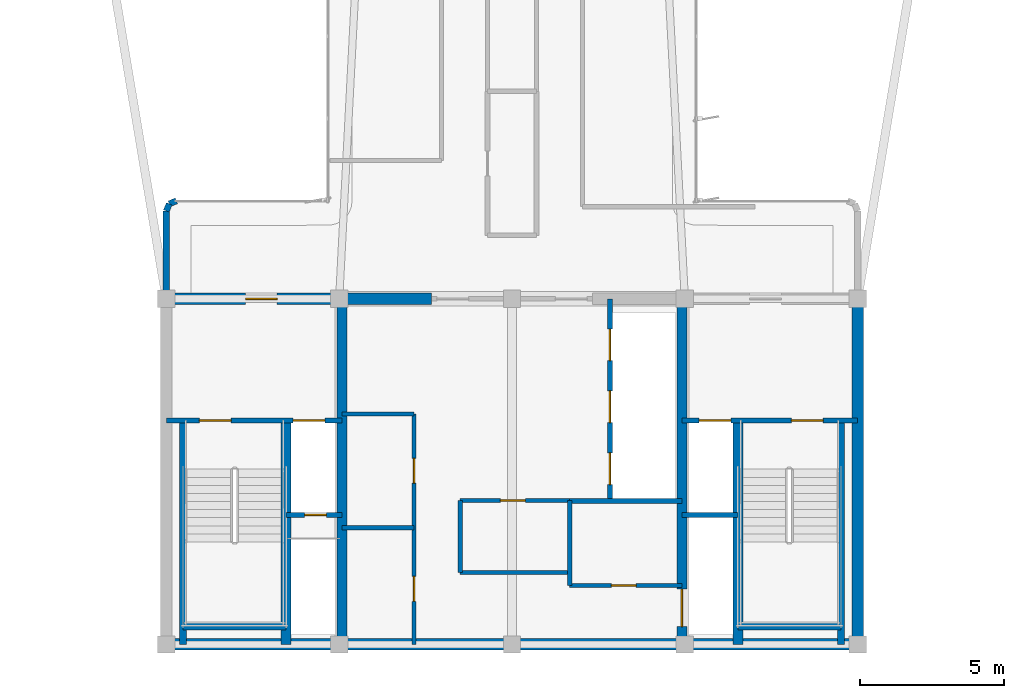
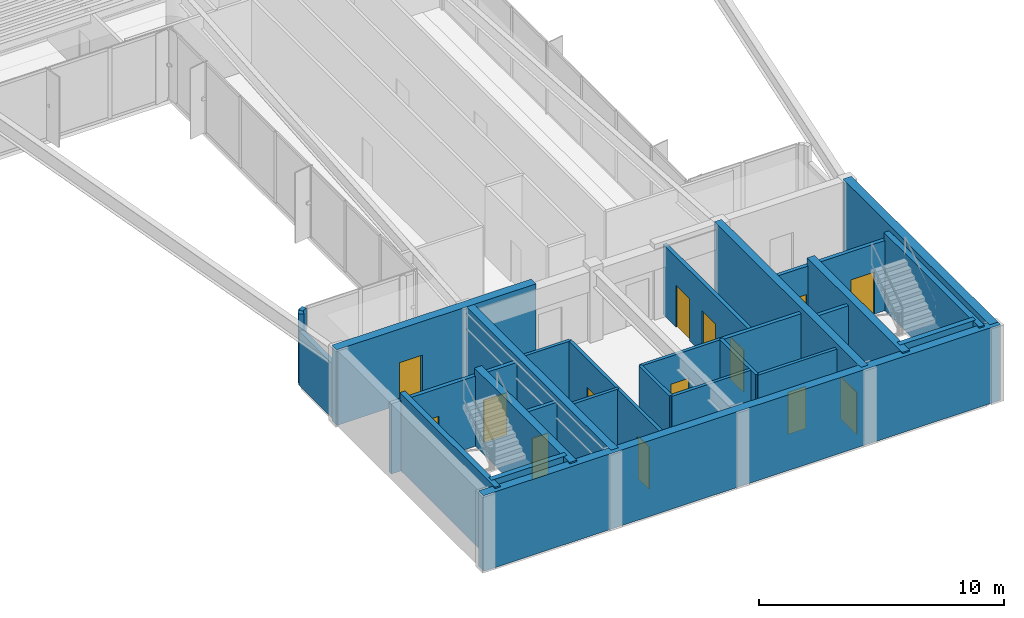
# One storey, part 10 of 16: 28 walls, 14 doors, 14 openings.
"""IFC4 building model written with IfcOpenShell, lengths in metres."""

import ifcopenshell
import ifcopenshell.guid

model = None  # the IFC model being written
_history = None  # IfcOwnerHistory: only IFC2X3 demands one
_inside = {}  # id of a spatial element -> (the spatial element, [elements in it])
_under = {}  # id of a project, library or spatial element -> (it, [spatial elements below it])
_declared = {}  # id of a project -> (the project, [libraries it declares])
_typed = {}  # id of a type object -> (the type object, [elements of that type])
_made_of = {}  # id of a material, layer set ... -> (it, [elements and type objects made of it])


def new_model(schema):
    """Start an empty IFC model of exactly this schema.

    Asked for "IFC4X3", IfcOpenShell would pick the latest addendum, in which some entities
    have other attributes; the version numbers below select the first issue.
    IFC2X3 requires an IfcOwnerHistory on every rooted entity: one is made here for all.
    """
    global model, _history
    if schema == "IFC4X3":
        model = ifcopenshell.file(schema_version=(4, 3, 0, 0))
    else:
        model = ifcopenshell.file(schema=schema)
    _inside.clear()
    _under.clear()
    _declared.clear()
    _typed.clear()
    _made_of.clear()
    _history = None
    if model.schema == "IFC2X3":
        org = make("IfcOrganization", Name="unknown")
        user = make(
            "IfcPersonAndOrganization",
            ThePerson=make("IfcPerson", FamilyName="unknown"),
            TheOrganization=org,
        )
        app = make(
            "IfcApplication",
            ApplicationDeveloper=org,
            Version="unknown",
            ApplicationFullName="unknown",
            ApplicationIdentifier="unknown",
        )
        _history = make(
            "IfcOwnerHistory",
            OwningUser=user,
            OwningApplication=app,
            ChangeAction="ADDED",
            CreationDate=0,
        )
    return model


def make(cls, **values):
    """One entity of the class cls with the attributes given. An attribute that is None is left unset."""
    return model.create_entity(
        cls, **{name: value for name, value in values.items() if value is not None}
    )


def rooted(cls, **values):
    """An entity with a GlobalId (a new one), such as an element, a storey or a relation."""
    return make(cls, GlobalId=ifcopenshell.guid.new(), OwnerHistory=_history, **values)


def si_unit(unit_type, name, prefix=None):
    """IfcSIUnit, for example si_unit("LENGTHUNIT", "METRE", prefix="MILLI")."""
    return make("IfcSIUnit", UnitType=unit_type, Prefix=prefix, Name=name)


def assignment(units):
    """IfcUnitAssignment: the units of a project."""
    return None if units is None else make("IfcUnitAssignment", Units=units)


def point(xyz):
    """IfcCartesianPoint."""
    return None if xyz is None else make("IfcCartesianPoint", Coordinates=xyz)


def direction(xyz):
    """IfcDirection."""
    return None if xyz is None else make("IfcDirection", DirectionRatios=xyz)


def frame(location, z_axis=None, x_axis=None):
    """IfcAxis2Placement3D, a coordinate frame: its origin and axes. An axis left out is left unset."""
    return make(
        "IfcAxis2Placement3D",
        Location=point(location),
        Axis=direction(z_axis),
        RefDirection=direction(x_axis),
    )


def frame_2d(location, x_axis=None):
    """IfcAxis2Placement2D, a coordinate frame in the plane: its origin and x axis."""
    return make(
        "IfcAxis2Placement2D", Location=point(location), RefDirection=direction(x_axis)
    )


def origin():
    """The frame at (0, 0, 0) with its axes left unset."""
    return frame((0.0, 0.0, 0.0))


def origin_2d():
    """The frame at (0, 0) in the plane with its x axis left unset."""
    return frame_2d((0.0, 0.0))


def place(relative_to, where):
    """IfcLocalPlacement: puts the frame where relative to a parent placement (None: the world)."""
    return make(
        "IfcLocalPlacement", PlacementRelTo=relative_to, RelativePlacement=where
    )


def context(
    kind, dimensions, precision=None, world=None, true_north=None, identifier=None
):
    """IfcGeometricRepresentationContext, for example the 3D "Model" context."""
    return make(
        "IfcGeometricRepresentationContext",
        ContextIdentifier=identifier,
        ContextType=kind,
        CoordinateSpaceDimension=dimensions,
        Precision=precision,
        WorldCoordinateSystem=world,
        TrueNorth=true_north,
    )


def subcontext(parent, identifier, kind, view, scale=None):
    """IfcGeometricRepresentationSubContext, for example "Body" below "Model"."""
    return make(
        "IfcGeometricRepresentationSubContext",
        ContextIdentifier=identifier,
        ContextType=kind,
        ParentContext=parent,
        TargetScale=scale,
        TargetView=view,
    )


def project(units=None, contexts=None):
    """IfcProject with its units and contexts."""
    return rooted(
        "IfcProject",
        Name="project",
        RepresentationContexts=contexts,
        UnitsInContext=assignment(units),
    )


def spatial(cls, under=None, at=None, **own):
    """A site, building, storey or space (cls), placed at a placement, below another one or the project."""
    s = rooted(cls, ObjectPlacement=at, **own)
    if under is not None:
        _under.setdefault(under.id(), (under, []))[1].append(s)
    return s


def profile(cls, at=None, kind="AREA", **sizes):
    """A parametric profile (cls). Its sizes go by their IFC names, for example OverallWidth=200.0."""
    return make(cls, ProfileType=kind, Position=at, **sizes)


def rectangle(**sizes):
    """IfcRectangleProfileDef."""
    return profile("IfcRectangleProfileDef", **sizes)


def extrude(swept, where, along, depth):
    """IfcExtrudedAreaSolid: the profile swept, set in the frame where, extruded along a direction by depth."""
    return make(
        "IfcExtrudedAreaSolid",
        SweptArea=swept,
        Position=where,
        ExtrudedDirection=direction(along),
        Depth=depth,
    )


def shape(context_of_items, identifier, shape_type, items):
    """IfcShapeRepresentation: the items that make up one representation, for example the "Body"."""
    return make(
        "IfcShapeRepresentation",
        ContextOfItems=context_of_items,
        RepresentationIdentifier=identifier,
        RepresentationType=shape_type,
        Items=items,
    )


def source(mapping_origin, context_of_items, identifier, shape_type, items):
    """IfcRepresentationMap: a shape defined once, which mapped items show again and again."""
    return make(
        "IfcRepresentationMap",
        MappingOrigin=mapping_origin,
        MappedRepresentation=shape(context_of_items, identifier, shape_type, items),
    )


def transform(
    local_origin,
    x_axis=None,
    y_axis=None,
    z_axis=None,
    scale=None,
    scale2=None,
    scale3=None,
    uniform=True,
):
    """IfcCartesianTransformationOperator3D, or its non-uniform kind. x_axis, y_axis, z_axis: its Axis1, 2, 3."""
    if uniform:
        return make(
            "IfcCartesianTransformationOperator3D",
            Axis1=direction(x_axis),
            Axis2=direction(y_axis),
            LocalOrigin=point(local_origin),
            Scale=scale,
            Axis3=direction(z_axis),
        )
    return make(
        "IfcCartesianTransformationOperator3DnonUniform",
        Axis1=direction(x_axis),
        Axis2=direction(y_axis),
        LocalOrigin=point(local_origin),
        Scale=scale,
        Axis3=direction(z_axis),
        Scale2=scale2,
        Scale3=scale3,
    )


def mapped(mapping_source, mapping_target):
    """IfcMappedItem: shows the shape of a source again, moved by a transform."""
    return make(
        "IfcMappedItem", MappingSource=mapping_source, MappingTarget=mapping_target
    )


def material(Name=None, Category=None):
    """IfcMaterial."""
    return make("IfcMaterial", Name=Name, Category=Category)


def layer(
    of_material, thickness, ventilated=None, Name=None, Category=None, Priority=None
):
    """IfcMaterialLayer: one layer of a wall or slab, of a material (None: an air gap)."""
    return make(
        "IfcMaterialLayer",
        Material=of_material,
        LayerThickness=thickness,
        IsVentilated=ventilated,
        Name=Name,
        Category=Category,
        Priority=Priority,
    )


def layer_set(layers, Name=None):
    """IfcMaterialLayerSet."""
    return make("IfcMaterialLayerSet", MaterialLayers=layers, LayerSetName=Name)


def made_of(thing, what):
    """Note that an element or type object is made of a material, layer set ...; save() writes the relation."""
    if what is not None:
        _made_of.setdefault(what.id(), (what, []))[1].append(thing)
    return thing


def type_object(cls, material=None, **own):
    """A type object (cls), such as IfcWallType, which elements share."""
    return made_of(rooted(cls, **own), material)


def element(
    cls,
    number,
    at=None,
    inside=None,
    cuts=None,
    type_object=None,
    material=None,
    context=None,
    identifier="Body",
    shape_type=None,
    held_by="IfcProductDefinitionShape",
    body=None,
    shapes=None,
    **own,
):
    """One element of the class cls, such as IfcWall. Its Tag is "e" and its number.

    at: its placement. inside: the storey or other place that contains it. cuts: it is an
    opening in that element (IfcRelVoidsElement). A single representation is given by context,
    identifier, shape_type and body (its items); several are given by shapes. held_by: the class
    of the entity that holds the representations. save() writes the other relations.
    """
    e = rooted(cls, Tag="e%d" % number, ObjectPlacement=at, **own)
    if body is not None:
        shapes = [shape(context, identifier, shape_type, body)]
    if shapes is not None:
        e.Representation = make(held_by, Representations=shapes)
    if inside is not None:
        _inside.setdefault(inside.id(), (inside, []))[1].append(e)
    if cuts is not None:
        rooted(
            "IfcRelVoidsElement", RelatingBuildingElement=cuts, RelatedOpeningElement=e
        )
    if type_object is not None:
        _typed.setdefault(type_object.id(), (type_object, []))[1].append(e)
    return made_of(e, material)


def fill(opening, filler):
    """IfcRelFillsElement: the door or window that sits in an opening."""
    return rooted(
        "IfcRelFillsElement",
        RelatingOpeningElement=opening,
        RelatedBuildingElement=filler,
    )


def aggregate(whole, parts):
    """IfcRelAggregates: a whole, such as a stair, and the parts it consists of."""
    return rooted("IfcRelAggregates", RelatingObject=whole, RelatedObjects=parts)


def save(model, path):
    """Write the relations noted so far, then the file.

    IfcRelAggregates (storeys below a building ...), IfcRelContainedInSpatialStructure (elements
    in a storey), IfcRelDefinesByType, IfcRelAssociatesMaterial and IfcRelDeclares: one each for
    every whole, place, type object, material and project.
    """
    for whole, parts in _under.values():
        aggregate(whole, parts)
    for where, things in _inside.values():
        rooted(
            "IfcRelContainedInSpatialStructure",
            RelatedElements=things,
            RelatingStructure=where,
        )
    for kind, things in _typed.values():
        rooted("IfcRelDefinesByType", RelatedObjects=things, RelatingType=kind)
    for what, things in _made_of.values():
        rooted("IfcRelAssociatesMaterial", RelatedObjects=things, RelatingMaterial=what)
    for by, libraries in _declared.values():
        rooted("IfcRelDeclares", RelatingContext=by, RelatedDefinitions=libraries)
    model.write(path)


model = new_model("IFC4")

# Units and contexts
model_context = context("Model", 3, precision=1e-05, world=origin(), true_north=direction((0.0, 1.0)))
body_context = subcontext(model_context, "Body", "Model", "MODEL_VIEW")
ifc_project = project(units=[si_unit("LENGTHUNIT", "METRE"), si_unit("AREAUNIT", "SQUARE_METRE"), si_unit("VOLUMEUNIT", "CUBIC_METRE"), si_unit("PLANEANGLEUNIT", "RADIAN"), si_unit("MASSUNIT", "GRAM", prefix="KILO")], contexts=[model_context])

# Site, building, storey
site_placement = place(None, origin())
site = spatial("IfcSite", under=ifc_project, at=site_placement, CompositionType="ELEMENT")
building_placement = place(site_placement, origin())
building = spatial("IfcBuilding", under=site, at=building_placement, Name="Brelvock Crest Care Tower", CompositionType="ELEMENT")
storey_placement = place(building_placement, frame((0.0, 0.0, 234.360107421875)))
storey = spatial("IfcBuildingStorey", under=building, at=storey_placement, Name="L59", CompositionType="ELEMENT", Elevation=234.360107421875)

# Walls
ifc_material_1 = material(Name="Concrete S65 (65 MPa)", Category="concrete")
ifc_layer_1 = layer(ifc_material_1, 0.39990234375, Name="WL-CS4")
ifc_layer_set_1 = layer_set([ifc_layer_1], Name="Concrete S65 (65 MPa)")
wall_type_1 = type_object("IfcWallType", Name="WL-CS4", PredefinedType="SHEAR", material=ifc_layer_set_1)
wall_1_placement = place(storey_placement, frame((48.199951171875, 6.0, 0.0), z_axis=(0.0, 0.0, 1.0), x_axis=(-1.0, 0.0, 0.0)))
element("IfcWall", 1, at=wall_1_placement, inside=storey, type_object=wall_type_1, Name="L59 Core South Shear Wall", PredefinedType="SHEAR", context=body_context, shape_type="SweptSolid", body=[
    extrude(rectangle(XDim=24.39990234375, YDim=0.39990234375, at=frame_2d((12.199951171875, 0.0))), origin(), (0.0, 0.0, 1.0), 3.77978515625),
])
wall_2_placement = place(storey_placement, frame((48.0, 18.0, 0.0), z_axis=(0.0, 0.0, 1.0), x_axis=(0.0, -1.0, 0.0)))
element("IfcWall", 2, at=wall_2_placement, inside=storey, type_object=wall_type_1, Name="L59 Core East Shear Wall", PredefinedType="SHEAR", context=body_context, shape_type="SweptSolid", body=[
    extrude(rectangle(XDim=12.0, YDim=0.39990234375, at=frame_2d((6.0, 0.0))), origin(), (0.0, 0.0, 1.0), 3.77978515625),
])

# Wall, opening, door
wall_3_placement = place(storey_placement, frame((23.800048828125, 18.0, 0.0), z_axis=(0.0, 0.0, 1.0), x_axis=(1.0, 0.0, 0.0)))
wall_3 = element("IfcWall", 3, at=wall_3_placement, inside=storey, type_object=wall_type_1, Name="L59 Core North-West Shear Wall", PredefinedType="SHEAR", context=body_context, shape_type="SweptSolid", body=[
    extrude(rectangle(XDim=9.39990234375, YDim=0.39990234375, at=frame_2d((4.699951171875, 0.0))), origin(), (0.0, 0.0, 1.0), 3.77978515625),
])
opening_1_placement = place(wall_3_placement, frame((2.949951171875, 0.0, 0.0)))
opening_1 = element("IfcOpeningElement", 4, at=opening_1_placement, cuts=wall_3, Name="Opening FD-1", PredefinedType="OPENING", context=body_context, shape_type="SweptSolid", body=[
    extrude(rectangle(XDim=1.10009765625, YDim=2.10009765625, at=origin_2d()), frame((0.550048828125, 0.2099609375, 1.050048828125), z_axis=(0.0, -1.0, 0.0), x_axis=(1.0, 0.0, 0.0)), (0.0, 0.0, 1.0), 0.419921875),
])
ifc_material_2 = material(Name="Steel Grade 350", Category="steel")
door_type_1 = type_object("IfcDoorType", Name="DR-FFL1", OperationType="NOTDEFINED", PredefinedType="DOOR", material=ifc_material_2)
shared_shape_1 = source(origin(), body_context, "Body", "SweptSolid", [
    extrude(rectangle(XDim=1.10009765625, YDim=2.10009765625, at=origin_2d()), frame((0.550048828125, 0.02490234375, 1.050048828125), z_axis=(0.0, -1.0, 0.0), x_axis=(1.0, 0.0, 0.0)), (0.0, 0.0, 1.0), 0.050048828125),
])
door_1_placement = place(opening_1_placement, origin())
door_1 = element("IfcDoor", 5, at=door_1_placement, inside=storey, type_object=door_type_1, Name="L59 Firefighting Lobby FFL-1 Exit Door", OperationType="SINGLE_SWING_LEFT", OverallHeight=2.10009765625, OverallWidth=1.10009765625, PredefinedType="DOOR", context=body_context, shape_type="MappedRepresentation", body=[
    mapped(shared_shape_1, transform((0.0, 0.0, 0.0), x_axis=(1.0, 0.0, 0.0), y_axis=(0.0, 1.0, 0.0), z_axis=(0.0, 0.0, 1.0), scale=1.0)),
])
fill(opening_1, door_1)

# Wall
ifc_material_3 = material(Name="Concrete S80 (80 MPa)", Category="concrete")
ifc_layer_2 = layer(ifc_material_3, 0.35009765625, Name="WL-CS5")
ifc_layer_set_2 = layer_set([ifc_layer_2], Name="Concrete S80 (80 MPa)")
wall_type_2 = type_object("IfcWallType", Name="WL-CS5", PredefinedType="SHEAR", material=ifc_layer_set_2)
wall_4_placement = place(storey_placement, frame((30.10009765625, 6.0, 0.0), z_axis=(0.0, 0.0, 1.0), x_axis=(0.0, 1.0, 0.0)))
element("IfcWall", 6, at=wall_4_placement, inside=storey, type_object=wall_type_2, Name="L59 Core Internal Web Wall West", PredefinedType="SHEAR", context=body_context, shape_type="SweptSolid", body=[
    extrude(rectangle(XDim=12.0, YDim=0.35009765625, at=frame_2d((6.0, 0.0))), origin(), (0.0, 0.0, 1.0), 3.77978515625),
])

# Wall, opening, door
wall_5_placement = place(storey_placement, frame((41.89990234375, 18.0, 0.0), z_axis=(0.0, 0.0, 1.0), x_axis=(0.0, -1.0, 0.0)))
wall_5 = element("IfcWall", 7, at=wall_5_placement, inside=storey, type_object=wall_type_2, Name="L59 Core Internal Web Wall East", PredefinedType="SHEAR", context=body_context, shape_type="SweptSolid", body=[
    extrude(rectangle(XDim=12.0, YDim=0.35009765625, at=frame_2d((6.0, 0.0))), origin(), (0.0, 0.0, 1.0), 3.77978515625),
])
opening_2_placement = place(wall_5_placement, frame((10.080078125, 0.0, 0.0)))
opening_2 = element("IfcOpeningElement", 8, at=opening_2_placement, cuts=wall_5, Name="Opening LD-S", PredefinedType="OPENING", context=body_context, shape_type="SweptSolid", body=[
    extrude(rectangle(XDim=1.300048828125, YDim=2.10009765625, at=origin_2d()), frame((0.64990234375, 0.18505859375, 1.050048828125), z_axis=(0.0, -1.0, 0.0), x_axis=(1.0, 0.0, 0.0)), (0.0, 0.0, 1.0), 0.3701171875),
])
door_type_2 = type_object("IfcDoorType", Name="DR-LDS1", OperationType="NOTDEFINED", PredefinedType="DOOR", material=ifc_material_2)
shared_shape_2 = source(origin(), body_context, "Body", "SweptSolid", [
    extrude(rectangle(XDim=1.300048828125, YDim=2.10009765625, at=origin_2d()), frame((0.64990234375, 0.02490234375, 1.050048828125), z_axis=(0.0, -1.0, 0.0), x_axis=(1.0, 0.0, 0.0)), (0.0, 0.0, 1.0), 0.050048828125),
])
door_2_placement = place(opening_2_placement, origin())
door_2 = element("IfcDoor", 9, at=door_2_placement, inside=storey, type_object=door_type_2, Name="L59 Clinical Bed Lift SL-1 Landing Door", OperationType="SLIDING_TO_LEFT", OverallHeight=2.10009765625, OverallWidth=1.300048828125, PredefinedType="DOOR", context=body_context, shape_type="MappedRepresentation", body=[
    mapped(shared_shape_2, transform((0.0, 0.0, 0.0), x_axis=(1.0, 0.0, 0.0), y_axis=(0.0, 1.0, 0.0), z_axis=(0.0, 0.0, 1.0), scale=1.0)),
])
fill(opening_2, door_2)

# Walls
for number, where, z_axis, x_axis, name in (
    (10, (28.14990234375, 6.0, 0.0), (0.0, 0.0, 1.0), (0.0, 1.0, 0.0), "L59 Core Stair ST-1 East Shear Wall"),
    (11, (43.85009765625, 6.0, 0.0), (0.0, 0.0, 1.0), (0.0, 1.0, 0.0), "L59 Core Stair ST-2 West Shear Wall"),
):
    element("IfcWall", number, at=place(storey_placement, frame(where, z_axis=z_axis, x_axis=x_axis)), inside=storey, type_object=wall_type_2, Name=name, PredefinedType="SHEAR", context=body_context, shape_type="SweptSolid", body=[
        extrude(rectangle(XDim=7.780029296875, YDim=0.35009765625, at=frame_2d((3.89013671875, 0.0))), origin(), (0.0, 0.0, 1.0), 3.849853515625),
    ])
ifc_layer_3 = layer(ifc_material_3, 0.25, Name="WL-CS6")
ifc_layer_set_3 = layer_set([ifc_layer_3], Name="Concrete S80 (80 MPa)")
wall_type_3 = type_object("IfcWallType", Name="WL-CS6", PredefinedType="SHEAR", material=ifc_layer_set_3)
wall_6_placement = place(storey_placement, frame((24.580078125, 6.0, 0.0), z_axis=(0.0, 0.0, 1.0), x_axis=(0.0, 1.0, 0.0)))
element("IfcWall", 12, at=wall_6_placement, inside=storey, type_object=wall_type_3, Name="L59 Core Stair ST-1 West Shear Wall", PredefinedType="SHEAR", context=body_context, shape_type="SweptSolid", body=[
    extrude(rectangle(XDim=7.780029296875, YDim=0.25, at=frame_2d((3.89013671875, 0.0))), origin(), (0.0, 0.0, 1.0), 3.849853515625),
])
wall_7_placement = place(storey_placement, frame((24.580078125, 6.6201171875, 0.0), z_axis=(0.0, 0.0, 1.0), x_axis=(1.0, 0.0, 0.0)))
element("IfcWall", 13, at=wall_7_placement, inside=storey, type_object=wall_type_3, Name="L59 Core Stair ST-1 South Shear Wall", PredefinedType="SHEAR", context=body_context, shape_type="SweptSolid", body=[
    extrude(rectangle(XDim=3.56982421875, YDim=0.25, at=frame_2d((1.784912109375, 0.0))), origin(), (0.0, 0.0, 1.0), 3.849853515625),
])
wall_8_placement = place(storey_placement, frame((47.419921875, 6.0, 0.0), z_axis=(0.0, 0.0, 1.0), x_axis=(0.0, 1.0, 0.0)))
element("IfcWall", 14, at=wall_8_placement, inside=storey, type_object=wall_type_3, Name="L59 Core Stair ST-2 East Shear Wall", PredefinedType="SHEAR", context=body_context, shape_type="SweptSolid", body=[
    extrude(rectangle(XDim=7.780029296875, YDim=0.25, at=frame_2d((3.89013671875, 0.0))), origin(), (0.0, 0.0, 1.0), 3.849853515625),
])
wall_9_placement = place(storey_placement, frame((43.85009765625, 6.6201171875, 0.0), z_axis=(0.0, 0.0, 1.0), x_axis=(1.0, 0.0, 0.0)))
element("IfcWall", 15, at=wall_9_placement, inside=storey, type_object=wall_type_3, Name="L59 Core Stair ST-2 South Shear Wall", PredefinedType="SHEAR", context=body_context, shape_type="SweptSolid", body=[
    extrude(rectangle(XDim=3.56982421875, YDim=0.25, at=frame_2d((1.784912109375, 0.0))), origin(), (0.0, 0.0, 1.0), 3.849853515625),
])
ifc_material_4 = material(Name="Precast concrete N40 (40 MPa)", Category="concrete")
ifc_layer_4 = layer(ifc_material_4, 0.215087890625, Name="WL-EX2")
ifc_layer_set_4 = layer_set([ifc_layer_4], Name="Precast concrete N40 (40 MPa)")
wall_type_4 = type_object("IfcWallType", Name="WL-EX2", PredefinedType="SOLIDWALL", material=ifc_layer_set_4)
wall_10_placement = place(storey_placement, frame((24.0, 18.280029296875, 0.0), z_axis=(0.0, 0.0, 1.0), x_axis=(0.0, 1.0, 0.0)))
element("IfcWall", 16, at=wall_10_placement, inside=storey, type_object=wall_type_4, Name="L59 Rounded Corner Wall 07", PredefinedType="SOLIDWALL", context=body_context, shape_type="SweptSolid", body=[
    extrude(rectangle(XDim=2.77001953125, YDim=0.215087890625, at=frame_2d((1.385009765625, 0.0))), origin(), (0.0, 0.0, 1.0), 2.7177734375),
])
wall_11_placement = place(storey_placement, frame((24.0, 21.050048828125, 0.0), z_axis=(0.0, 0.0, 1.0), x_axis=(0.382673670509, 0.923883575944, 0.0)))
element("IfcWall", 17, at=wall_11_placement, inside=storey, type_object=wall_type_4, Name="L59 Rounded Corner Wall 08", PredefinedType="SOLIDWALL", context=body_context, shape_type="SweptSolid", body=[
    extrude(rectangle(XDim=0.26806640625, YDim=0.215087890625, at=frame_2d((0.134033203125, 0.0))), origin(), (0.0, 0.0, 1.0), 3.52978515625),
])
wall_12_placement = place(storey_placement, frame((24.1025390625, 21.297607421875, 0.0), z_axis=(0.0, 0.0, 1.0), x_axis=(0.924205486139, 0.381895560841, 0.0)))
element("IfcWall", 18, at=wall_12_placement, inside=storey, type_object=wall_type_4, Name="L59 Rounded Corner Wall 09", PredefinedType="SOLIDWALL", context=body_context, shape_type="SweptSolid", body=[
    extrude(rectangle(XDim=0.267822265625, YDim=0.215087890625, at=frame_2d((0.1337890625, 0.0))), origin(), (0.0, 0.0, 1.0), 3.52978515625),
])
ifc_material_5 = material(Name="Masonry Blockwork Acoustic Partition", Category="masonry")
ifc_layer_5 = layer(ifc_material_5, 0.14990234375, Name="WL-INT1")
ifc_layer_set_5 = layer_set([ifc_layer_5], Name="Masonry Blockwork Acoustic Partition")
wall_type_5 = type_object("IfcWallType", Name="WL-INT1", PredefinedType="PARTITIONING", material=ifc_layer_set_5)
wall_13_placement = place(storey_placement, frame((30.10009765625, 14.0, 0.0), z_axis=(0.0, 0.0, 1.0), x_axis=(1.0, 0.0, 0.0)))
element("IfcWall", 19, at=wall_13_placement, inside=storey, type_object=wall_type_5, Name="L59 Interior Wall WL-CRCL-N1-L59", PredefinedType="PARTITIONING", context=body_context, shape_type="SweptSolid", body=[
    extrude(rectangle(XDim=2.5, YDim=0.14990234375, at=frame_2d((1.25, 0.0))), origin(), (0.0, 0.0, 1.0), 3.5),
])
wall_14_placement = place(storey_placement, frame((34.199951171875, 8.5, 0.0), z_axis=(0.0, 0.0, 1.0), x_axis=(1.0, 0.0, 0.0)))
element("IfcWall", 20, at=wall_14_placement, inside=storey, type_object=wall_type_5, Name="L59 Interior Wall WL-CRCM-SW-L59", PredefinedType="PARTITIONING", context=body_context, shape_type="SweptSolid", body=[
    extrude(rectangle(XDim=3.800048828125, YDim=0.14990234375, at=frame_2d((1.89990234375, 0.0))), origin(), (0.0, 0.0, 1.0), 3.5),
])

# Wall, opening, door
wall_15_placement = place(storey_placement, frame((38.0, 8.050048828125, 0.0), z_axis=(0.0, 0.0, 1.0), x_axis=(1.0, 0.0, 0.0)))
wall_15 = element("IfcWall", 21, at=wall_15_placement, inside=storey, type_object=wall_type_5, Name="L59 Interior Wall WL-CRCM-SE-L59", PredefinedType="PARTITIONING", context=body_context, shape_type="SweptSolid", body=[
    extrude(rectangle(XDim=3.89990234375, YDim=0.14990234375, at=frame_2d((1.949951171875, 0.0))), origin(), (0.0, 0.0, 1.0), 3.5),
])
opening_3_placement = place(wall_15_placement, frame((1.449951171875, 0.0, 0.0)))
opening_3 = element("IfcOpeningElement", 22, at=opening_3_placement, cuts=wall_15, Name="Opening ID-1", PredefinedType="OPENING", context=body_context, shape_type="SweptSolid", body=[
    extrude(rectangle(XDim=0.860107421875, YDim=2.10009765625, at=origin_2d()), frame((0.43017578125, 0.0849609375, 1.050048828125), z_axis=(0.0, -1.0, 0.0), x_axis=(1.0, 0.0, 0.0)), (0.0, 0.0, 1.0), 0.169921875),
])
ifc_material_6 = material(Name="Engineered Hardwood Timber", Category="wood")
door_type_3 = type_object("IfcDoorType", Name="DR-INT1", OperationType="NOTDEFINED", PredefinedType="DOOR", material=ifc_material_6)
shared_shape_3 = source(origin(), body_context, "Body", "SweptSolid", [
    extrude(rectangle(XDim=0.860107421875, YDim=2.10009765625, at=origin_2d()), frame((0.43017578125, 0.02490234375, 1.050048828125), z_axis=(0.0, -1.0, 0.0), x_axis=(1.0, 0.0, 0.0)), (0.0, 0.0, 1.0), 0.050048828125),
])
door_3_placement = place(opening_3_placement, origin())
door_3 = element("IfcDoor", 23, at=door_3_placement, inside=storey, type_object=door_type_3, Name="DR-CRCM2-L59", OperationType="SINGLE_SWING_LEFT", OverallHeight=2.10009765625, OverallWidth=0.860107421875, PredefinedType="DOOR", context=body_context, shape_type="MappedRepresentation", body=[
    mapped(shared_shape_3, transform((0.0, 0.0, 0.0), x_axis=(1.0, 0.0, 0.0), y_axis=(0.0, 1.0, 0.0), z_axis=(0.0, 0.0, 1.0), scale=1.0)),
])
fill(opening_3, door_3)

# Walls
wall_16_placement = place(storey_placement, frame((34.199951171875, 8.5, 0.0), z_axis=(0.0, 0.0, 1.0), x_axis=(0.0, 1.0, 0.0)))
element("IfcWall", 24, at=wall_16_placement, inside=storey, type_object=wall_type_5, Name="L59 Interior Wall WL-CRCM-W-L59", PredefinedType="PARTITIONING", context=body_context, shape_type="SweptSolid", body=[
    extrude(rectangle(XDim=2.5, YDim=0.14990234375, at=frame_2d((1.25, 0.0))), origin(), (0.0, 0.0, 1.0), 3.5),
])
wall_17_placement = place(storey_placement, frame((38.0, 8.050048828125, 0.0), z_axis=(0.0, 0.0, 1.0), x_axis=(0.0, 1.0, 0.0)))
element("IfcWall", 25, at=wall_17_placement, inside=storey, type_object=wall_type_5, Name="L59 Interior Wall WL-CRCM-V-L59", PredefinedType="PARTITIONING", context=body_context, shape_type="SweptSolid", body=[
    extrude(rectangle(XDim=2.949951171875, YDim=0.14990234375, at=frame_2d((1.47509765625, 0.0))), origin(), (0.0, 0.0, 1.0), 3.5),
])

# Wall, opening, door
wall_18_placement = place(storey_placement, frame((34.199951171875, 11.0, 0.0), z_axis=(0.0, 0.0, 1.0), x_axis=(1.0, 0.0, 0.0)))
wall_18 = element("IfcWall", 26, at=wall_18_placement, inside=storey, type_object=wall_type_5, Name="L59 Interior Wall WL-CRCM-NW-L59", PredefinedType="PARTITIONING", context=body_context, shape_type="SweptSolid", body=[
    extrude(rectangle(XDim=3.800048828125, YDim=0.14990234375, at=frame_2d((1.89990234375, 0.0))), origin(), (0.0, 0.0, 1.0), 3.5),
])
opening_4_placement = place(wall_18_placement, frame((1.39990234375, 0.0, 0.0)))
opening_4 = element("IfcOpeningElement", 27, at=opening_4_placement, cuts=wall_18, Name="Opening ID-1", PredefinedType="OPENING", context=body_context, shape_type="SweptSolid", body=[
    extrude(rectangle(XDim=0.860107421875, YDim=2.10009765625, at=origin_2d()), frame((0.43017578125, 0.0849609375, 1.050048828125), z_axis=(0.0, -1.0, 0.0), x_axis=(1.0, 0.0, 0.0)), (0.0, 0.0, 1.0), 0.169921875),
])
door_4_placement = place(opening_4_placement, origin())
door_4 = element("IfcDoor", 28, at=door_4_placement, inside=storey, type_object=door_type_3, Name="DR-CRCM1-L59", OperationType="SINGLE_SWING_LEFT", OverallHeight=2.10009765625, OverallWidth=0.860107421875, PredefinedType="DOOR", context=body_context, shape_type="MappedRepresentation", body=[
    mapped(shared_shape_3, transform((0.0, 0.0, 0.0), x_axis=(1.0, 0.0, 0.0), y_axis=(0.0, 1.0, 0.0), z_axis=(0.0, 0.0, 1.0), scale=1.0)),
])
fill(opening_4, door_4)

# Wall
wall_19_placement = place(storey_placement, frame((30.10009765625, 10.050048828125, 0.0), z_axis=(0.0, 0.0, 1.0), x_axis=(1.0, 0.0, 0.0)))
element("IfcWall", 29, at=wall_19_placement, inside=storey, type_object=wall_type_5, Name="L59 Interior Wall WL-CSBW-S1-L59", PredefinedType="PARTITIONING", context=body_context, shape_type="SweptSolid", body=[
    extrude(rectangle(XDim=2.5, YDim=0.14990234375, at=frame_2d((1.25, 0.0))), origin(), (0.0, 0.0, 1.0), 3.5),
])

# Wall, openings, doors
wall_20_placement = place(storey_placement, frame((32.60009765625, 6.0, 0.0), z_axis=(0.0, 0.0, 1.0), x_axis=(0.0, 1.0, 0.0)))
wall_20 = element("IfcWall", 30, at=wall_20_placement, inside=storey, type_object=wall_type_5, Name="L59 Interior Wall WL-CRCL-E-L59", PredefinedType="PARTITIONING", context=body_context, shape_type="SweptSolid", body=[
    extrude(rectangle(XDim=8.0, YDim=0.14990234375, at=frame_2d((4.0, 0.0))), origin(), (0.0, 0.0, 1.0), 3.5),
])
opening_5_placement = place(wall_20_placement, frame((1.5, 0.0, 0.0)))
opening_5 = element("IfcOpeningElement", 31, at=opening_5_placement, cuts=wall_20, Name="Opening ID-1", PredefinedType="OPENING", context=body_context, shape_type="SweptSolid", body=[
    extrude(rectangle(XDim=0.860107421875, YDim=2.10009765625, at=origin_2d()), frame((0.43017578125, 0.0849609375, 1.050048828125), z_axis=(0.0, -1.0, 0.0), x_axis=(1.0, 0.0, 0.0)), (0.0, 0.0, 1.0), 0.169921875),
])
opening_6_placement = place(wall_20_placement, frame((5.60009765625, 0.0, 0.0)))
opening_6 = element("IfcOpeningElement", 32, at=opening_6_placement, cuts=wall_20, Name="Opening ID-1", PredefinedType="OPENING", context=body_context, shape_type="SweptSolid", body=[
    extrude(rectangle(XDim=0.860107421875, YDim=2.10009765625, at=origin_2d()), frame((0.43017578125, 0.0849609375, 1.050048828125), z_axis=(0.0, -1.0, 0.0), x_axis=(1.0, 0.0, 0.0)), (0.0, 0.0, 1.0), 0.169921875),
])
door_5_placement = place(opening_5_placement, origin())
door_5 = element("IfcDoor", 33, at=door_5_placement, inside=storey, type_object=door_type_3, Name="DR-CSBW-L59", OperationType="SINGLE_SWING_LEFT", OverallHeight=2.10009765625, OverallWidth=0.860107421875, PredefinedType="DOOR", context=body_context, shape_type="MappedRepresentation", body=[
    mapped(shared_shape_3, transform((0.0, 0.0, 0.0), x_axis=(1.0, 0.0, 0.0), y_axis=(0.0, 1.0, 0.0), z_axis=(0.0, 0.0, 1.0), scale=1.0)),
])
fill(opening_5, door_5)
door_6_placement = place(opening_6_placement, origin())
door_6 = element("IfcDoor", 34, at=door_6_placement, inside=storey, type_object=door_type_3, Name="DR-CRCL1-L59", OperationType="SINGLE_SWING_LEFT", OverallHeight=2.10009765625, OverallWidth=0.860107421875, PredefinedType="DOOR", context=body_context, shape_type="MappedRepresentation", body=[
    mapped(shared_shape_3, transform((0.0, 0.0, 0.0), x_axis=(1.0, 0.0, 0.0), y_axis=(0.0, 1.0, 0.0), z_axis=(0.0, 0.0, 1.0), scale=1.0)),
])
fill(opening_6, door_6)

# Wall
ifc_layer_6 = layer(ifc_material_5, 0.179931640625, Name="WL-SHF1")
ifc_layer_set_6 = layer_set([ifc_layer_6], Name="Masonry Blockwork Acoustic Partition")
wall_type_6 = type_object("IfcWallType", Name="WL-SHF1", PredefinedType="PARTITIONING", material=ifc_layer_set_6)
wall_21_placement = place(storey_placement, frame((38.0, 10.97998046875, 0.0), z_axis=(0.0, 0.0, 1.0), x_axis=(1.0, 0.0, 0.0)))
element("IfcWall", 35, at=wall_21_placement, inside=storey, type_object=wall_type_6, Name="L59 Interior Wall WL-CRCM-NE-L59", PredefinedType="PARTITIONING", context=body_context, shape_type="SweptSolid", body=[
    extrude(rectangle(XDim=3.89990234375, YDim=0.179931640625, at=frame_2d((1.949951171875, 0.0))), origin(), (0.0, 0.0, 1.0), 3.5),
])

# Wall, openings, doors
wall_22_placement = place(storey_placement, frame((24.0, 13.780029296875, 0.0), z_axis=(0.0, 0.0, 1.0), x_axis=(1.0, 0.0, 0.0)))
wall_22 = element("IfcWall", 36, at=wall_22_placement, inside=storey, type_object=wall_type_6, Name="L59 Interior Wall WL-ST1-N-L59", PredefinedType="PARTITIONING", context=body_context, shape_type="SweptSolid", body=[
    extrude(rectangle(XDim=6.10009765625, YDim=0.179931640625, at=frame_2d((3.050048828125, 0.0))), origin(), (0.0, 0.0, 1.0), 3.5),
])
opening_7_placement = place(wall_22_placement, frame((1.14990234375, 0.0, 0.0)))
opening_7 = element("IfcOpeningElement", 37, at=opening_7_placement, cuts=wall_22, Name="Opening SD-1", PredefinedType="OPENING", context=body_context, shape_type="SweptSolid", body=[
    extrude(rectangle(XDim=1.10009765625, YDim=2.10009765625, at=origin_2d()), frame((0.550048828125, 0.10009765625, 1.050048828125), z_axis=(0.0, -1.0, 0.0), x_axis=(1.0, 0.0, 0.0)), (0.0, 0.0, 1.0), 0.199951171875),
])
opening_8_placement = place(wall_22_placement, frame((4.39990234375, 0.0, 0.0)))
opening_8 = element("IfcOpeningElement", 38, at=opening_8_placement, cuts=wall_22, Name="Opening LD", PredefinedType="OPENING", context=body_context, shape_type="SweptSolid", body=[
    extrude(rectangle(XDim=1.10009765625, YDim=2.10009765625, at=origin_2d()), frame((0.550048828125, 0.10009765625, 1.050048828125), z_axis=(0.0, -1.0, 0.0), x_axis=(1.0, 0.0, 0.0)), (0.0, 0.0, 1.0), 0.199951171875),
])
door_type_4 = type_object("IfcDoorType", Name="DR-ST1", OperationType="NOTDEFINED", PredefinedType="DOOR", material=ifc_material_2)
shared_shape_4 = source(origin(), body_context, "Body", "SweptSolid", [
    extrude(rectangle(XDim=1.10009765625, YDim=2.10009765625, at=origin_2d()), frame((0.550048828125, 0.02490234375, 1.050048828125), z_axis=(0.0, -1.0, 0.0), x_axis=(1.0, 0.0, 0.0)), (0.0, 0.0, 1.0), 0.050048828125),
])
door_7_placement = place(opening_7_placement, origin())
door_7 = element("IfcDoor", 39, at=door_7_placement, inside=storey, type_object=door_type_4, Name="L59 Fire Stair ST-1 Door", OperationType="SINGLE_SWING_LEFT", OverallHeight=2.10009765625, OverallWidth=1.10009765625, PredefinedType="DOOR", context=body_context, shape_type="MappedRepresentation", body=[
    mapped(shared_shape_4, transform((0.0, 0.0, 0.0), x_axis=(1.0, 0.0, 0.0), y_axis=(0.0, 1.0, 0.0), z_axis=(0.0, 0.0, 1.0), scale=1.0)),
])
fill(opening_7, door_7)
door_type_5 = type_object("IfcDoorType", Name="DR-LD1", OperationType="NOTDEFINED", PredefinedType="DOOR", material=ifc_material_2)
shared_shape_5 = source(origin(), body_context, "Body", "SweptSolid", [
    extrude(rectangle(XDim=1.10009765625, YDim=2.10009765625, at=origin_2d()), frame((0.550048828125, 0.02490234375, 1.050048828125), z_axis=(0.0, -1.0, 0.0), x_axis=(1.0, 0.0, 0.0)), (0.0, 0.0, 1.0), 0.050048828125),
])
door_8_placement = place(opening_8_placement, origin())
door_8 = element("IfcDoor", 40, at=door_8_placement, inside=storey, type_object=door_type_5, Name="L59 Firefighting Lift FFL-1 Landing Door", OperationType="SLIDING_TO_LEFT", OverallHeight=2.10009765625, OverallWidth=1.10009765625, PredefinedType="DOOR", context=body_context, shape_type="MappedRepresentation", body=[
    mapped(shared_shape_5, transform((0.0, 0.0, 0.0), x_axis=(1.0, 0.0, 0.0), y_axis=(0.0, 1.0, 0.0), z_axis=(0.0, 0.0, 1.0), scale=1.0)),
])
fill(opening_8, door_8)

# Wall, opening, door
wall_23_placement = place(storey_placement, frame((28.14990234375, 10.5, 0.0), z_axis=(0.0, 0.0, 1.0), x_axis=(1.0, 0.0, 0.0)))
wall_23 = element("IfcWall", 41, at=wall_23_placement, inside=storey, type_object=wall_type_6, Name="L59 Interior Wall WL-FFH1-S-L59", PredefinedType="PARTITIONING", context=body_context, shape_type="SweptSolid", body=[
    extrude(rectangle(XDim=1.9501953125, YDim=0.179931640625, at=frame_2d((0.97509765625, 0.0))), origin(), (0.0, 0.0, 1.0), 3.5),
])
opening_9_placement = place(wall_23_placement, frame((0.64990234375, 0.0, 0.0)))
opening_9 = element("IfcOpeningElement", 42, at=opening_9_placement, cuts=wall_23, Name="Opening RD-1", PredefinedType="OPENING", context=body_context, shape_type="SweptSolid", body=[
    extrude(rectangle(XDim=0.760009765625, YDim=2.050048828125, at=origin_2d()), frame((0.3798828125, 0.10009765625, 1.02490234375), z_axis=(0.0, -1.0, 0.0), x_axis=(1.0, 0.0, 0.0)), (0.0, 0.0, 1.0), 0.199951171875),
])
door_type_6 = type_object("IfcDoorType", Name="DR-RIS1", OperationType="NOTDEFINED", PredefinedType="DOOR", material=ifc_material_2)
shared_shape_6 = source(origin(), body_context, "Body", "SweptSolid", [
    extrude(rectangle(XDim=0.760009765625, YDim=2.050048828125, at=origin_2d()), frame((0.3798828125, 0.02490234375, 1.02490234375), z_axis=(0.0, -1.0, 0.0), x_axis=(1.0, 0.0, 0.0)), (0.0, 0.0, 1.0), 0.050048828125),
])
door_9_placement = place(opening_9_placement, origin())
door_9 = element("IfcDoor", 43, at=door_9_placement, inside=storey, type_object=door_type_6, Name="L59 Wet Fire Riser Access Door", OperationType="SINGLE_SWING_LEFT", OverallHeight=2.050048828125, OverallWidth=0.760009765625, PredefinedType="DOOR", context=body_context, shape_type="MappedRepresentation", body=[
    mapped(shared_shape_6, transform((0.0, 0.0, 0.0), x_axis=(1.0, 0.0, 0.0), y_axis=(0.0, 1.0, 0.0), z_axis=(0.0, 0.0, 1.0), scale=1.0)),
])
fill(opening_9, door_9)

# Wall, openings, doors
wall_24_placement = place(storey_placement, frame((41.89990234375, 13.780029296875, 0.0), z_axis=(0.0, 0.0, 1.0), x_axis=(1.0, 0.0, 0.0)))
wall_24 = element("IfcWall", 44, at=wall_24_placement, inside=storey, type_object=wall_type_6, Name="L59 Interior Wall WL-ST2-N-L59", PredefinedType="PARTITIONING", context=body_context, shape_type="SweptSolid", body=[
    extrude(rectangle(XDim=6.10009765625, YDim=0.179931640625, at=frame_2d((3.050048828125, 0.0))), origin(), (0.0, 0.0, 1.0), 3.5),
])
opening_10_placement = place(wall_24_placement, frame((0.60009765625, 0.0, 0.0)))
opening_10 = element("IfcOpeningElement", 45, at=opening_10_placement, cuts=wall_24, Name="Opening LD", PredefinedType="OPENING", context=body_context, shape_type="SweptSolid", body=[
    extrude(rectangle(XDim=1.10009765625, YDim=2.10009765625, at=origin_2d()), frame((0.550048828125, 0.10009765625, 1.050048828125), z_axis=(0.0, -1.0, 0.0), x_axis=(1.0, 0.0, 0.0)), (0.0, 0.0, 1.0), 0.199951171875),
])
opening_11_placement = place(wall_24_placement, frame((3.800048828125, 0.0, 0.0)))
opening_11 = element("IfcOpeningElement", 46, at=opening_11_placement, cuts=wall_24, Name="Opening SD-1", PredefinedType="OPENING", context=body_context, shape_type="SweptSolid", body=[
    extrude(rectangle(XDim=1.10009765625, YDim=2.10009765625, at=origin_2d()), frame((0.550048828125, 0.10009765625, 1.050048828125), z_axis=(0.0, -1.0, 0.0), x_axis=(1.0, 0.0, 0.0)), (0.0, 0.0, 1.0), 0.199951171875),
])
door_10_placement = place(opening_11_placement, origin())
door_10 = element("IfcDoor", 47, at=door_10_placement, inside=storey, type_object=door_type_4, Name="L59 Fire Stair ST-2 Door", OperationType="SINGLE_SWING_RIGHT", OverallHeight=2.10009765625, OverallWidth=1.10009765625, PredefinedType="DOOR", context=body_context, shape_type="MappedRepresentation", body=[
    mapped(shared_shape_4, transform((0.0, 0.0, 0.0), x_axis=(1.0, 0.0, 0.0), y_axis=(0.0, 1.0, 0.0), z_axis=(0.0, 0.0, 1.0), scale=1.0)),
])
fill(opening_11, door_10)
door_11_placement = place(opening_10_placement, origin())
door_11 = element("IfcDoor", 48, at=door_11_placement, inside=storey, type_object=door_type_5, Name="L59 Firefighting Lift FFL-2 Landing Door", OperationType="SLIDING_TO_RIGHT", OverallHeight=2.10009765625, OverallWidth=1.10009765625, PredefinedType="DOOR", context=body_context, shape_type="MappedRepresentation", body=[
    mapped(shared_shape_5, transform((0.0, 0.0, 0.0), x_axis=(1.0, 0.0, 0.0), y_axis=(0.0, 1.0, 0.0), z_axis=(0.0, 0.0, 1.0), scale=1.0)),
])
fill(opening_10, door_11)

# Wall
wall_25_placement = place(storey_placement, frame((41.89990234375, 10.5, 0.0), z_axis=(0.0, 0.0, 1.0), x_axis=(1.0, 0.0, 0.0)))
element("IfcWall", 49, at=wall_25_placement, inside=storey, type_object=wall_type_6, Name="L59 Interior Wall WL-FFH2-S-L59", PredefinedType="PARTITIONING", context=body_context, shape_type="SweptSolid", body=[
    extrude(rectangle(XDim=1.9501953125, YDim=0.179931640625, at=frame_2d((0.97509765625, 0.0))), origin(), (0.0, 0.0, 1.0), 3.5),
])

# Wall, openings, doors
wall_26_placement = place(storey_placement, frame((39.39990234375, 11.0, 0.0), z_axis=(0.0, 0.0, 1.0), x_axis=(0.0, 1.0, 0.0)))
wall_26 = element("IfcWall", 50, at=wall_26_placement, inside=storey, type_object=wall_type_6, Name="L59 Interior Wall WL-PLH-BANK-L59", PredefinedType="PARTITIONING", context=body_context, shape_type="SweptSolid", body=[
    extrude(rectangle(XDim=7.0, YDim=0.179931640625, at=frame_2d((3.5, 0.0))), origin(), (0.0, 0.0, 1.0), 3.5),
])
opening_12_placement = place(wall_26_placement, frame((0.550048828125, 0.0, 0.0)))
opening_12 = element("IfcOpeningElement", 51, at=opening_12_placement, cuts=wall_26, Name="Opening LD", PredefinedType="OPENING", context=body_context, shape_type="SweptSolid", body=[
    extrude(rectangle(XDim=1.10009765625, YDim=2.10009765625, at=origin_2d()), frame((0.550048828125, 0.10009765625, 1.050048828125), z_axis=(0.0, -1.0, 0.0), x_axis=(1.0, 0.0, 0.0)), (0.0, 0.0, 1.0), 0.199951171875),
])
opening_13_placement = place(wall_26_placement, frame((2.699951171875, 0.0, 0.0)))
opening_13 = element("IfcOpeningElement", 52, at=opening_13_placement, cuts=wall_26, Name="Opening LD", PredefinedType="OPENING", context=body_context, shape_type="SweptSolid", body=[
    extrude(rectangle(XDim=1.10009765625, YDim=2.10009765625, at=origin_2d()), frame((0.550048828125, 0.10009765625, 1.050048828125), z_axis=(0.0, -1.0, 0.0), x_axis=(1.0, 0.0, 0.0)), (0.0, 0.0, 1.0), 0.199951171875),
])
opening_14_placement = place(wall_26_placement, frame((4.85009765625, 0.0, 0.0)))
opening_14 = element("IfcOpeningElement", 53, at=opening_14_placement, cuts=wall_26, Name="Opening LD", PredefinedType="OPENING", context=body_context, shape_type="SweptSolid", body=[
    extrude(rectangle(XDim=1.10009765625, YDim=2.10009765625, at=origin_2d()), frame((0.550048828125, 0.10009765625, 1.050048828125), z_axis=(0.0, -1.0, 0.0), x_axis=(1.0, 0.0, 0.0)), (0.0, 0.0, 1.0), 0.199951171875),
])
door_12_placement = place(opening_12_placement, origin())
door_12 = element("IfcDoor", 54, at=door_12_placement, inside=storey, type_object=door_type_5, Name="L59 Lift PL-H1 Landing Door", OperationType="SLIDING_TO_RIGHT", OverallHeight=2.10009765625, OverallWidth=1.10009765625, PredefinedType="DOOR", context=body_context, shape_type="MappedRepresentation", body=[
    mapped(shared_shape_5, transform((0.0, 0.0, 0.0), x_axis=(1.0, 0.0, 0.0), y_axis=(0.0, 1.0, 0.0), z_axis=(0.0, 0.0, 1.0), scale=1.0)),
])
fill(opening_12, door_12)
door_13_placement = place(opening_13_placement, origin())
door_13 = element("IfcDoor", 55, at=door_13_placement, inside=storey, type_object=door_type_5, Name="L59 Lift PL-H2 Landing Door", OperationType="SLIDING_TO_RIGHT", OverallHeight=2.10009765625, OverallWidth=1.10009765625, PredefinedType="DOOR", context=body_context, shape_type="MappedRepresentation", body=[
    mapped(shared_shape_5, transform((0.0, 0.0, 0.0), x_axis=(1.0, 0.0, 0.0), y_axis=(0.0, 1.0, 0.0), z_axis=(0.0, 0.0, 1.0), scale=1.0)),
])
fill(opening_13, door_13)
door_14_placement = place(opening_14_placement, origin())
door_14 = element("IfcDoor", 56, at=door_14_placement, inside=storey, type_object=door_type_5, Name="L59 Lift PL-H3 Landing Door", OperationType="SLIDING_TO_RIGHT", OverallHeight=2.10009765625, OverallWidth=1.10009765625, PredefinedType="DOOR", context=body_context, shape_type="MappedRepresentation", body=[
    mapped(shared_shape_5, transform((0.0, 0.0, 0.0), x_axis=(1.0, 0.0, 0.0), y_axis=(0.0, 1.0, 0.0), z_axis=(0.0, 0.0, 1.0), scale=1.0)),
])
fill(opening_14, door_14)

save(model, "model.ifc")
